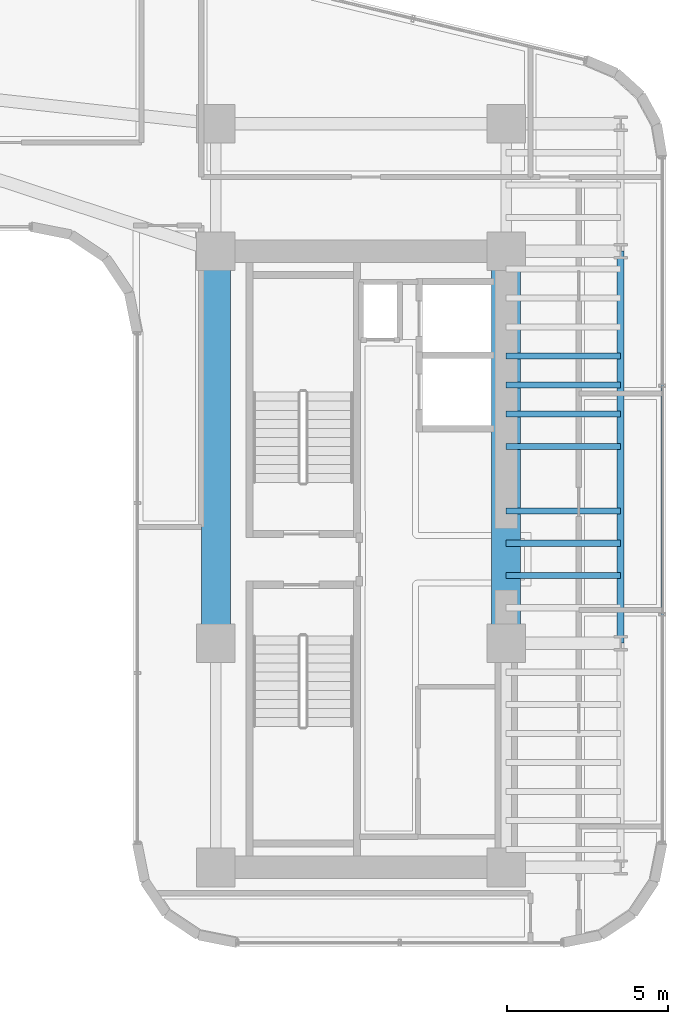
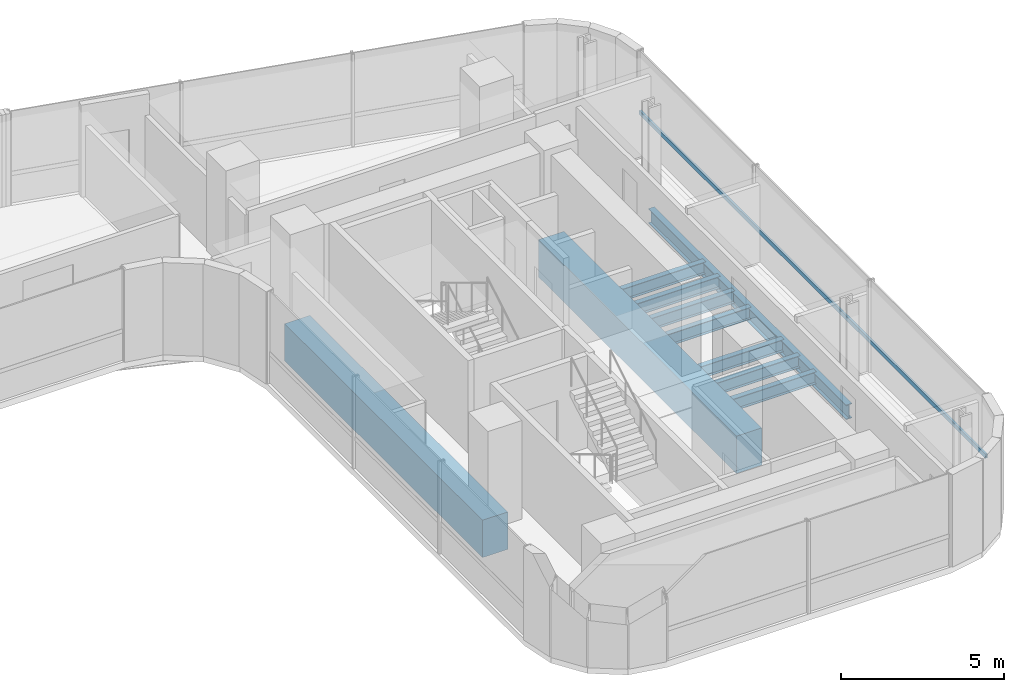
# One storey, part 18 of 37: 10 beams, 1 member, 1 element without a shape of its own.
"""IFC4 building model written with IfcOpenShell, lengths in metres."""

from ifc_helpers import new_model, si_unit, direction, frame, origin, origin_2d, place, context, subcontext, project, spatial, rectangle, hollow_rectangle, i_section, extrude, source, transform, mapped, material, material_profile, profile_set, type_object, element, aggregate, save


model = new_model("IFC4")

# Units and contexts
model_context = context("Model", 3, precision=1e-05, world=origin(), true_north=direction((0.0, 1.0)))
body_context = subcontext(model_context, "Body", "Model", "MODEL_VIEW")
ifc_project = project(units=[si_unit("LENGTHUNIT", "METRE"), si_unit("AREAUNIT", "SQUARE_METRE"), si_unit("VOLUMEUNIT", "CUBIC_METRE"), si_unit("PLANEANGLEUNIT", "RADIAN"), si_unit("MASSUNIT", "GRAM", prefix="KILO")], contexts=[model_context])

# Site, building, storey
site_placement = place(None, origin())
site = spatial("IfcSite", under=ifc_project, at=site_placement, CompositionType="ELEMENT")
building_placement = place(site_placement, origin())
building = spatial("IfcBuilding", under=site, at=building_placement, Name="Valdorenza Pilgrim Sanctuary Tower", CompositionType="ELEMENT")
storey_placement = place(building_placement, frame((0.0, 0.0, 135.300048828125)))
storey = spatial("IfcBuildingStorey", under=building, at=storey_placement, Name="L34", CompositionType="ELEMENT", Elevation=135.300048828125)

# Beams
ifc_material_1 = material(Name="Concrete C60/75", Category="concrete")
ifc_material_profile_1 = material_profile(ifc_material_1, rectangle(XDim=0.89990234375, YDim=1.39990234375, at=origin_2d()), Name="RC 1400x900")
ifc_profile_set_1 = profile_set([ifc_material_profile_1], Name="Concrete C60/75")
beam_type_1 = type_object("IfcBeamType", Name="STR-BM-LNT-1400", PredefinedType="LINTEL", material=ifc_profile_set_1)
shared_shape_1 = source(origin(), body_context, "Body", "SweptSolid", [
    extrude(rectangle(XDim=0.89990234375, YDim=1.39990234375, at=origin_2d()), origin(), (0.0, 0.0, 1.0), 12.150146484375),
])
for number, where, z_axis, x_axis, name in (
    (1, (15.85009765625, -2.60009765625, -0.739990234375), (0.0, 1.0, 0.0), (-1.0, 0.0, 0.0), "L34 Core B West Coupling Lintel Girder"),
    (2, (24.85009765625, -2.60009765625, -0.739990234375), (0.0, 1.0, 0.0), (-1.0, 0.0, 0.0), "L34 Core B East Coupling Lintel Girder"),
):
    element("IfcBeam", number, at=place(storey_placement, frame(where, z_axis=z_axis, x_axis=x_axis)), inside=storey, type_object=beam_type_1, Name=name, PredefinedType="LINTEL", context=body_context, shape_type="MappedRepresentation", body=[
        mapped(shared_shape_1, transform((0.0, 0.0, 0.0), x_axis=(1.0, 0.0, 0.0), y_axis=(0.0, 1.0, 0.0), z_axis=(0.0, 0.0, 1.0), scale=1.0)),
    ])
ifc_material_2 = material(Name="Steel ASTM A992 Grade 50", Category="steel")
ifc_material_profile_2 = material_profile(ifc_material_2, i_section(OverallWidth=0.214111328125, OverallDepth=0.549072265625, WebThickness=0.0146484375, FlangeThickness=0.023681640625, at=origin_2d()), Name="W21X93")
ifc_profile_set_2 = profile_set([ifc_material_profile_2], Name="Steel ASTM A992 Grade 50")
beam_type_2 = type_object("IfcBeamType", Name="STR-BM-SPN-W21A", PredefinedType="SPANDREL", material=ifc_profile_set_2)
shared_shape_2 = source(origin(), body_context, "Body", "SweptSolid", [
    extrude(i_section(OverallWidth=0.214111328125, OverallDepth=0.549072265625, WebThickness=0.0146484375, FlangeThickness=0.023681640625, at=origin_2d()), origin(), (0.0, 0.0, 1.0), 12.150146484375),
])
beam_placement = place(storey_placement, frame((28.39990234375, -2.60009765625, -0.5146484375), z_axis=(0.0, 1.0, 0.0), x_axis=(-1.0, 0.0, 0.0)))
element("IfcBeam", 3, at=beam_placement, inside=storey, type_object=beam_type_2, Name="L34 Spandrel Beam WB-E-M0N1", PredefinedType="SPANDREL", context=body_context, shape_type="MappedRepresentation", body=[
    mapped(shared_shape_2, transform((0.0, 0.0, 0.0), x_axis=(1.0, 0.0, 0.0), y_axis=(0.0, 1.0, 0.0), z_axis=(0.0, 0.0, 1.0), scale=1.0)),
])
ifc_material_profile_3 = material_profile(ifc_material_2, i_section(OverallWidth=0.19091796875, OverallDepth=0.45703125, WebThickness=0.009033203125, FlangeThickness=0.014404296875, at=origin_2d()), Name="W18X50")
ifc_profile_set_3 = profile_set([ifc_material_profile_3], Name="Steel ASTM A992 Grade 50")
beam_type_3 = type_object("IfcBeamType", Name="STR-BM-JST-W18B", PredefinedType="JOIST", material=ifc_profile_set_3)
shared_shape_3 = source(origin(), body_context, "Body", "SweptSolid", [
    extrude(i_section(OverallWidth=0.19091796875, OverallDepth=0.45703125, WebThickness=0.009033203125, FlangeThickness=0.014404296875, at=origin_2d()), origin(), (0.0, 0.0, 1.0), 3.5498046875),
])
for number, where, z_axis, x_axis, name in (
    (4, (24.85009765625, -0.5, -0.468505859375), (1.0, 0.0, 0.0), (0.0, 1.0, 0.0), "L34 Composite Floor Joist JST-WB-9"),
    (5, (24.85009765625, 0.5, -0.468505859375), (1.0, 0.0, 0.0), (0.0, 1.0, 0.0), "L34 Composite Floor Joist JST-WB-10"),
    (6, (24.85009765625, 1.5, -0.468505859375), (1.0, 0.0, 0.0), (0.0, 1.0, 0.0), "L34 Composite Floor Joist JST-WB-11"),
    (7, (24.85009765625, 3.5, -0.468505859375), (1.0, 0.0, 0.0), (0.0, 1.0, 0.0), "L34 Composite Floor Joist JST-WB-12"),
    (8, (24.85009765625, 4.5, -0.468505859375), (1.0, 0.0, 0.0), (0.0, 1.0, 0.0), "L34 Composite Floor Joist JST-WB-13"),
    (9, (24.85009765625, 5.39990234375, -0.468505859375), (1.0, 0.0, 0.0), (0.0, 1.0, 0.0), "L34 Composite Floor Joist JST-WB-14"),
    (10, (24.85009765625, 6.300048828125, -0.468505859375), (1.0, 0.0, 0.0), (0.0, 1.0, 0.0), "L34 Composite Floor Joist JST-WB-15"),
):
    element("IfcBeam", number, at=place(storey_placement, frame(where, z_axis=z_axis, x_axis=x_axis)), inside=storey, type_object=beam_type_3, Name=name, PredefinedType="JOIST", context=body_context, shape_type="MappedRepresentation", body=[
        mapped(shared_shape_3, transform((0.0, 0.0, 0.0), x_axis=(1.0, 0.0, 0.0), y_axis=(0.0, 1.0, 0.0), z_axis=(0.0, 0.0, 1.0), scale=1.0)),
    ])

# Curtain wall, member
ifc_material_3 = material(Name="Curtain-wall IGU glazing", Category="glass")
curtain_wall_type = type_object("IfcCurtainWallType", Name="CW-SYS-03", PredefinedType="NOTDEFINED", material=ifc_material_3)
curtain_wall_placement = place(storey_placement, origin())
curtain_wall = element("IfcCurtainWall", 11, at=curtain_wall_placement, inside=storey, type_object=curtain_wall_type, Name="L34 Curtain Wall CW-L34-1-21", PredefinedType="NOTDEFINED")
ifc_material_4 = material(Name="Anodised aluminium AW-6060", Category="aluminium")
ifc_material_profile_4 = material_profile(ifc_material_4, hollow_rectangle(XDim=0.074951171875, YDim=0.159912109375, WallThickness=0.00390625, at=origin_2d()), Name="ALU-T 160x75x4")
ifc_profile_set_4 = profile_set([ifc_material_profile_4], Name="Anodised aluminium AW-6060")
member_type = type_object("IfcMemberType", Name="CW-TRN-03", PredefinedType="USERDEFINED", material=ifc_profile_set_4)
shared_shape_4 = source(origin(), body_context, "Body", "SweptSolid", [
    extrude(hollow_rectangle(XDim=0.074951171875, YDim=0.159912109375, WallThickness=0.00390625, at=origin_2d()), origin(), (0.0, 0.0, 1.0), 21.255615234375),
])
member_placement = place(storey_placement, frame((29.68994140625, 12.46630859375, 1.119873046875), z_axis=(0.0, -1.0, 0.0), x_axis=(1.0, 0.0, 0.0)))
member = element("IfcMember", 12, at=member_placement, type_object=member_type, Name="CW-L34-1-21 Transom 1", ObjectType="TRANSOM", PredefinedType="USERDEFINED", context=body_context, shape_type="MappedRepresentation", body=[
    mapped(shared_shape_4, transform((0.0, 0.0, 0.0), x_axis=(1.0, 0.0, 0.0), y_axis=(0.0, 1.0, 0.0), z_axis=(0.0, 0.0, 1.0), scale=1.0)),
])
aggregate(curtain_wall, [member])

save(model, "model.ifc")
